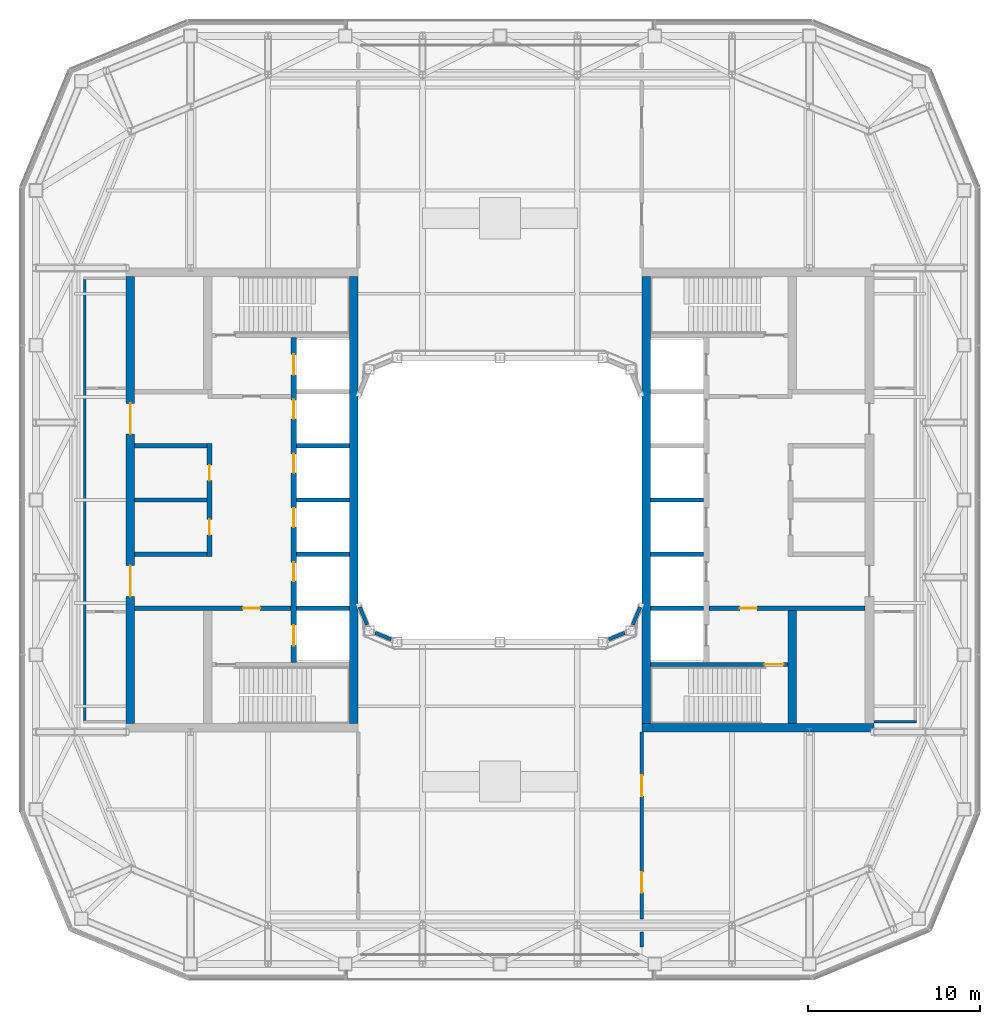
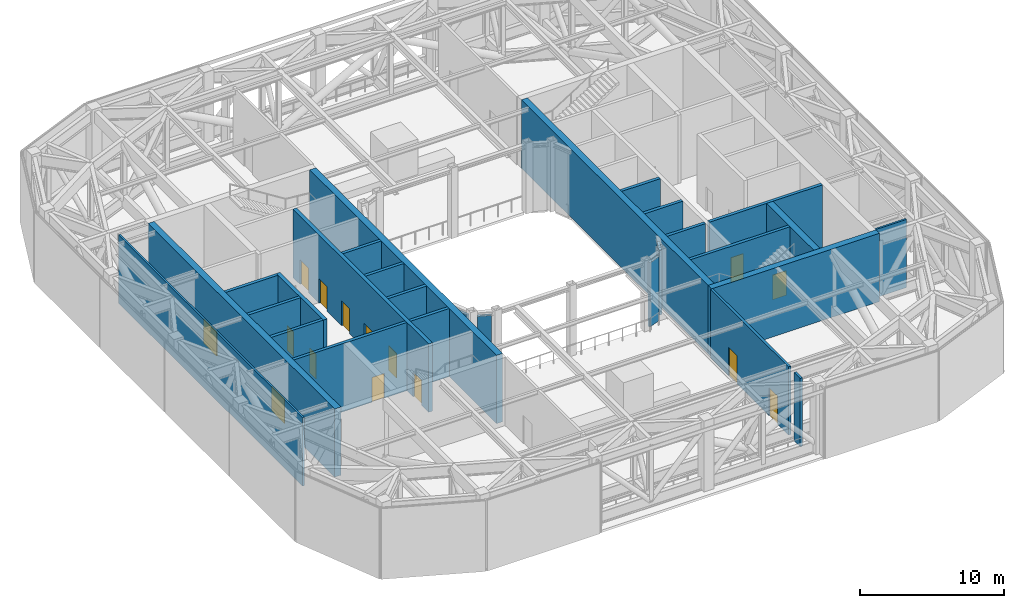
# One storey, part 11 of 21: 28 walls, 15 doors, 15 openings.
"""IFC4 building model written with IfcOpenShell, lengths in metres."""

from ifc_helpers import new_model, si_unit, direction, frame, frame_2d, origin, place, context, subcontext, project, spatial, rectangle, extrude, material, layer, layer_set, type_object, element, fill, save


model = new_model("IFC4")

# Units and contexts
model_context = context("Model", 3, precision=1e-05, world=origin(), true_north=direction((0.0, 1.0)))
body_context = subcontext(model_context, "Body", "Model", "MODEL_VIEW")
ifc_project = project(units=[si_unit("LENGTHUNIT", "METRE"), si_unit("AREAUNIT", "SQUARE_METRE"), si_unit("VOLUMEUNIT", "CUBIC_METRE"), si_unit("PLANEANGLEUNIT", "RADIAN"), si_unit("MASSUNIT", "GRAM", prefix="KILO")], contexts=[model_context])

# Site, building, storey
site_placement = place(None, origin())
site = spatial("IfcSite", under=ifc_project, at=site_placement, CompositionType="ELEMENT")
building_placement = place(site_placement, origin())
building = spatial("IfcBuilding", under=site, at=building_placement, Name="Siwar Civic Tower", CompositionType="ELEMENT")
storey_placement = place(building_placement, frame((0.0, 0.0, 278.199951171875)))
storey = spatial("IfcBuildingStorey", under=building, at=storey_placement, Name="L60", CompositionType="ELEMENT", Elevation=278.199951171875)

# Walls
ifc_material_1 = material(Name="Gypsum board on steel studs", Category="steel")
ifc_layer_1 = layer(ifc_material_1, 0.14990234375)
ifc_layer_set_1 = layer_set([ifc_layer_1], Name="Gypsum board on steel studs")
wall_type_1 = type_object("IfcWallType", Name="COMPARTMENT PARTITION 150 EI 60", PredefinedType="PARTITIONING", material=ifc_layer_set_1)
wall_1_placement = place(storey_placement, frame((21.75, -12.89990234375, 0.0), z_axis=(0.0, 0.0, 1.0), x_axis=(1.0, 0.0, 0.0)))
element("IfcWall", 1, at=wall_1_placement, inside=storey, type_object=wall_type_1, Name="L60/wall/P02", PredefinedType="PARTITIONING", context=body_context, shape_type="SweptSolid", body=[
    extrude(rectangle(XDim=2.47509765625, YDim=0.14990234375, at=frame_2d((1.237548828125, 0.0))), origin(), (0.0, 0.0, 1.0), 5.800048828125),
])
wall_2_placement = place(storey_placement, frame((-24.14990234375, -12.824951171875, 0.0), z_axis=(0.0, 0.0, 1.0), x_axis=(0.0, 1.0, 0.0)))
element("IfcWall", 2, at=wall_2_placement, inside=storey, type_object=wall_type_1, Name="L60/wall/P09", PredefinedType="PARTITIONING", context=body_context, shape_type="SweptSolid", body=[
    extrude(rectangle(XDim=25.64990234375, YDim=0.14990234375, at=frame_2d((12.824951171875, 0.0))), origin(), (0.0, 0.0, 1.0), 5.800048828125),
])

# Wall, opening, door
ifc_material_2 = material(Name="Concrete C60/75", Category="concrete")
ifc_layer_2 = layer(ifc_material_2, 0.25)
ifc_layer_set_2 = layer_set([ifc_layer_2], Name="Concrete C60/75")
wall_type_2 = type_object("IfcWallType", Name="CORE-WALL-RC250", PredefinedType="SHEAR", material=ifc_layer_set_2)
wall_3_placement = place(storey_placement, frame((-12.14990234375, -6.300048828125, 0.0), z_axis=(0.0, 0.0, 1.0), x_axis=(-1.0, 0.0, 0.0)))
wall_3 = element("IfcWall", 3, at=wall_3_placement, inside=storey, type_object=wall_type_2, Name="Core wall W", PredefinedType="SHEAR", context=body_context, shape_type="SweptSolid", body=[
    extrude(rectangle(XDim=9.10009765625, YDim=0.25, at=frame_2d((4.550048828125, 0.0))), origin(), (0.0, 0.0, 1.0), 5.800048828125),
])
opening_1_placement = place(wall_3_placement, frame((1.800048828125, 0.0, 0.0)))
opening_1 = element("IfcOpeningElement", 4, at=opening_1_placement, cuts=wall_3, Name="Opening L60-CW02", PredefinedType="OPENING", context=body_context, shape_type="SweptSolid", body=[
    extrude(rectangle(XDim=1.0, YDim=2.10009765625, at=frame_2d((0.5, 1.050048828125))), frame((0.0, 0.135009765625, 0.0), z_axis=(0.0, -1.0, 0.0), x_axis=(1.0, 0.0, 0.0)), (0.0, 0.0, 1.0), 0.27001953125),
])
ifc_material_3 = material(Name="Steel door leaf", Category="steel")
door_type_1 = type_object("IfcDoorType", Name="CORE-DOOR-FD30S", OperationType="SINGLE_SWING_LEFT", PredefinedType="DOOR", material=ifc_material_3)
door_1_placement = place(opening_1_placement, origin())
door_1 = element("IfcDoor", 5, at=door_1_placement, inside=storey, type_object=door_type_1, Name="Service lobby door L60-CW02", OperationType="SINGLE_SWING_RIGHT", OverallHeight=2.10009765625, OverallWidth=1.0, PredefinedType="DOOR", context=body_context, shape_type="SweptSolid", body=[
    extrude(rectangle(XDim=1.0, YDim=2.10009765625, at=frame_2d((0.5, 1.050048828125))), frame((0.0, 0.02490234375, 0.0), z_axis=(0.0, -1.0, 0.0), x_axis=(1.0, 0.0, 0.0)), (0.0, 0.0, 1.0), 0.050048828125),
])
fill(opening_1, door_1)

# Walls
for number, where, z_axis, x_axis, name in (
    (6, (-17.050048828125, 0.0, 0.0), (0.0, 0.0, 1.0), (-1.0, 0.0, 0.0), "Core wall W"),
    (7, (-17.050048828125, 3.14990234375, 0.0), (0.0, 0.0, 1.0), (-1.0, 0.0, 0.0), "Core wall W"),
    (8, (-17.050048828125, -3.14990234375, 0.0), (0.0, 0.0, 1.0), (-1.0, 0.0, 0.0), "Core wall W"),
):
    element("IfcWall", number, at=place(storey_placement, frame(where, z_axis=z_axis, x_axis=x_axis)), inside=storey, type_object=wall_type_2, Name=name, PredefinedType="SHEAR", context=body_context, shape_type="SweptSolid", body=[
        extrude(rectangle(XDim=4.199951171875, YDim=0.25, at=frame_2d((2.10009765625, 0.0))), origin(), (0.0, 0.0, 1.0), 5.800048828125),
    ])
for number, where, z_axis, x_axis, name in (
    (9, (-8.75, 0.0, 0.0), (0.0, 0.0, 1.0), (-1.0, 0.0, 0.0), "Core wall W"),
    (10, (-8.75, 3.14990234375, 0.0), (0.0, 0.0, 1.0), (-1.0, 0.0, 0.0), "Core wall W"),
    (11, (-8.75, -3.14990234375, 0.0), (0.0, 0.0, 1.0), (-1.0, 0.0, 0.0), "Core wall W"),
    (12, (-8.75, -6.300048828125, 0.0), (0.0, 0.0, 1.0), (-1.0, 0.0, 0.0), "Core wall W"),
):
    element("IfcWall", number, at=place(storey_placement, frame(where, z_axis=z_axis, x_axis=x_axis)), inside=storey, type_object=wall_type_2, Name=name, PredefinedType="SHEAR", context=body_context, shape_type="SweptSolid", body=[
        extrude(rectangle(XDim=3.10009765625, YDim=0.25, at=frame_2d((1.550048828125, 0.0))), origin(), (0.0, 0.0, 1.0), 5.800048828125),
    ])

# Wall, opening, door
wall_4_placement = place(storey_placement, frame((12.14990234375, -6.300048828125, 0.0), z_axis=(0.0, 0.0, 1.0), x_axis=(1.0, 0.0, 0.0)))
wall_4 = element("IfcWall", 13, at=wall_4_placement, inside=storey, type_object=wall_type_2, Name="Core wall E", PredefinedType="SHEAR", context=body_context, shape_type="SweptSolid", body=[
    extrude(rectangle(XDim=9.10009765625, YDim=0.25, at=frame_2d((4.550048828125, 0.0))), origin(), (0.0, 0.0, 1.0), 5.800048828125),
])
opening_2_placement = place(wall_4_placement, frame((1.800048828125, 0.0, 0.0)))
opening_2 = element("IfcOpeningElement", 14, at=opening_2_placement, cuts=wall_4, Name="Opening L60-CE02", PredefinedType="OPENING", context=body_context, shape_type="SweptSolid", body=[
    extrude(rectangle(XDim=1.0, YDim=2.10009765625, at=frame_2d((0.5, 1.050048828125))), frame((0.0, 0.135009765625, 0.0), z_axis=(0.0, -1.0, 0.0), x_axis=(1.0, 0.0, 0.0)), (0.0, 0.0, 1.0), 0.27001953125),
])
door_2_placement = place(opening_2_placement, origin())
door_2 = element("IfcDoor", 15, at=door_2_placement, inside=storey, type_object=door_type_1, Name="Service lobby door L60-CE02", OperationType="SINGLE_SWING_LEFT", OverallHeight=2.10009765625, OverallWidth=1.0, PredefinedType="DOOR", context=body_context, shape_type="SweptSolid", body=[
    extrude(rectangle(XDim=1.0, YDim=2.10009765625, at=frame_2d((0.5, 1.050048828125))), frame((0.0, 0.02490234375, 0.0), z_axis=(0.0, -1.0, 0.0), x_axis=(1.0, 0.0, 0.0)), (0.0, 0.0, 1.0), 0.050048828125),
])
fill(opening_2, door_2)

# Walls
for number, where, z_axis, x_axis, name in (
    (16, (8.75, 0.0, 0.0), (0.0, 0.0, 1.0), (1.0, 0.0, 0.0), "Core wall E"),
    (17, (8.75, -3.14990234375, 0.0), (0.0, 0.0, 1.0), (1.0, 0.0, 0.0), "Core wall E"),
    (18, (8.75, -6.300048828125, 0.0), (0.0, 0.0, 1.0), (1.0, 0.0, 0.0), "Core wall E"),
):
    element("IfcWall", number, at=place(storey_placement, frame(where, z_axis=z_axis, x_axis=x_axis)), inside=storey, type_object=wall_type_2, Name=name, PredefinedType="SHEAR", context=body_context, shape_type="SweptSolid", body=[
        extrude(rectangle(XDim=3.10009765625, YDim=0.25, at=frame_2d((1.550048828125, 0.0))), origin(), (0.0, 0.0, 1.0), 5.800048828125),
    ])

# Wall, opening, door
wall_5_placement = place(storey_placement, frame((8.75, -9.574951171875, 0.0), z_axis=(0.0, 0.0, 1.0), x_axis=(1.0, 0.0, 0.0)))
wall_5 = element("IfcWall", 19, at=wall_5_placement, inside=storey, type_object=wall_type_2, Name="Core wall E", PredefinedType="SHEAR", context=body_context, shape_type="SweptSolid", body=[
    extrude(rectangle(XDim=8.0, YDim=0.25, at=frame_2d((4.0, 0.0))), origin(), (0.0, 0.0, 1.0), 5.800048828125),
])
opening_3_placement = place(wall_5_placement, frame((6.64990234375, 0.0, 0.0)))
opening_3 = element("IfcOpeningElement", 20, at=opening_3_placement, cuts=wall_5, Name="Opening L60-CE04", PredefinedType="OPENING", context=body_context, shape_type="SweptSolid", body=[
    extrude(rectangle(XDim=1.10009765625, YDim=2.10009765625, at=frame_2d((0.550048828125, 1.050048828125))), frame((0.0, 0.135009765625, 0.0), z_axis=(0.0, -1.0, 0.0), x_axis=(1.0, 0.0, 0.0)), (0.0, 0.0, 1.0), 0.27001953125),
])
ifc_material_4 = material(Name="Steel door leaf", Category="steel")
door_type_2 = type_object("IfcDoorType", Name="CORE-DOOR-FD60S", OperationType="SINGLE_SWING_LEFT", PredefinedType="DOOR", material=ifc_material_4)
door_3_placement = place(opening_3_placement, origin())
door_3 = element("IfcDoor", 21, at=door_3_placement, inside=storey, type_object=door_type_2, Name="Stair door L60-CE04", OperationType="SINGLE_SWING_RIGHT", OverallHeight=2.10009765625, OverallWidth=1.10009765625, PredefinedType="DOOR", context=body_context, shape_type="SweptSolid", body=[
    extrude(rectangle(XDim=1.10009765625, YDim=2.10009765625, at=frame_2d((0.550048828125, 1.050048828125))), frame((0.0, 0.02490234375, 0.0), z_axis=(0.0, -1.0, 0.0), x_axis=(1.0, 0.0, 0.0)), (0.0, 0.0, 1.0), 0.050048828125),
])
fill(opening_3, door_3)

# Wall, openings, doors
ifc_material_5 = material(Name="Concrete C60/75", Category="concrete")
ifc_layer_3 = layer(ifc_material_5, 0.300048828125)
ifc_layer_set_3 = layer_set([ifc_layer_3], Name="Concrete C60/75")
wall_type_3 = type_object("IfcWallType", Name="CORE-WALL-RC300", PredefinedType="SHEAR", material=ifc_layer_set_3)
wall_6_placement = place(storey_placement, frame((-12.0, -9.449951171875, 0.0), z_axis=(0.0, 0.0, 1.0), x_axis=(0.0, 1.0, 0.0)))
wall_6 = element("IfcWall", 22, at=wall_6_placement, inside=storey, type_object=wall_type_3, Name="Core wall W", PredefinedType="SHEAR", context=body_context, shape_type="SweptSolid", body=[
    extrude(rectangle(XDim=18.89990234375, YDim=0.300048828125, at=frame_2d((9.449951171875, 0.0))), origin(), (0.0, 0.0, 1.0), 5.800048828125),
])
opening_4_placement = place(wall_6_placement, frame((4.72509765625, 0.0, 0.0)))
opening_4 = element("IfcOpeningElement", 23, at=opening_4_placement, cuts=wall_6, Name="Opening L60-CW07", PredefinedType="OPENING", context=body_context, shape_type="SweptSolid", body=[
    extrude(rectangle(XDim=1.10009765625, YDim=2.10009765625, at=frame_2d((0.550048828125, 1.050048828125))), frame((0.0, 0.16015625, 0.0), z_axis=(0.0, -1.0, 0.0), x_axis=(1.0, 0.0, 0.0)), (0.0, 0.0, 1.0), 0.320068359375),
])
opening_5_placement = place(wall_6_placement, frame((7.875, 0.0, 0.0)))
opening_5 = element("IfcOpeningElement", 24, at=opening_5_placement, cuts=wall_6, Name="Opening L60-CW08", PredefinedType="OPENING", context=body_context, shape_type="SweptSolid", body=[
    extrude(rectangle(XDim=1.10009765625, YDim=2.10009765625, at=frame_2d((0.550048828125, 1.050048828125))), frame((0.0, 0.16015625, 0.0), z_axis=(0.0, -1.0, 0.0), x_axis=(1.0, 0.0, 0.0)), (0.0, 0.0, 1.0), 0.320068359375),
])
opening_6_placement = place(wall_6_placement, frame((11.02490234375, 0.0, 0.0)))
opening_6 = element("IfcOpeningElement", 25, at=opening_6_placement, cuts=wall_6, Name="Opening L60-CW09", PredefinedType="OPENING", context=body_context, shape_type="SweptSolid", body=[
    extrude(rectangle(XDim=1.10009765625, YDim=2.10009765625, at=frame_2d((0.550048828125, 1.050048828125))), frame((0.0, 0.16015625, 0.0), z_axis=(0.0, -1.0, 0.0), x_axis=(1.0, 0.0, 0.0)), (0.0, 0.0, 1.0), 0.320068359375),
])
opening_7_placement = place(wall_6_placement, frame((14.175048828125, 0.0, 0.0)))
opening_7 = element("IfcOpeningElement", 26, at=opening_7_placement, cuts=wall_6, Name="Opening L60-CW10", PredefinedType="OPENING", context=body_context, shape_type="SweptSolid", body=[
    extrude(rectangle(XDim=1.10009765625, YDim=2.10009765625, at=frame_2d((0.550048828125, 1.050048828125))), frame((0.0, 0.16015625, 0.0), z_axis=(0.0, -1.0, 0.0), x_axis=(1.0, 0.0, 0.0)), (0.0, 0.0, 1.0), 0.320068359375),
])
opening_8_placement = place(wall_6_placement, frame((16.72509765625, 0.0, 0.0)))
opening_8 = element("IfcOpeningElement", 27, at=opening_8_placement, cuts=wall_6, Name="Opening L60-CW11", PredefinedType="OPENING", context=body_context, shape_type="SweptSolid", body=[
    extrude(rectangle(XDim=1.199951171875, YDim=2.10009765625, at=frame_2d((0.60009765625, 1.050048828125))), frame((0.0, 0.16015625, 0.0), z_axis=(0.0, -1.0, 0.0), x_axis=(1.0, 0.0, 0.0)), (0.0, 0.0, 1.0), 0.320068359375),
])
opening_9_placement = place(wall_6_placement, frame((0.97509765625, 0.0, 0.0)))
opening_9 = element("IfcOpeningElement", 28, at=opening_9_placement, cuts=wall_6, Name="Opening L60-CW12", PredefinedType="OPENING", context=body_context, shape_type="SweptSolid", body=[
    extrude(rectangle(XDim=1.199951171875, YDim=2.10009765625, at=frame_2d((0.60009765625, 1.050048828125))), frame((0.0, 0.16015625, 0.0), z_axis=(0.0, -1.0, 0.0), x_axis=(1.0, 0.0, 0.0)), (0.0, 0.0, 1.0), 0.320068359375),
])
ifc_material_6 = material(Name="Steel door leaf", Category="steel")
door_type_3 = type_object("IfcDoorType", Name="CORE-DOOR-LD", OperationType="DOUBLE_DOOR_SLIDING", PredefinedType="DOOR", material=ifc_material_6)
door_4_placement = place(opening_4_placement, origin())
door_4 = element("IfcDoor", 29, at=door_4_placement, inside=storey, type_object=door_type_3, Name="Landing door HR1 L60-CW07", OperationType="DOUBLE_DOOR_SLIDING", OverallHeight=2.10009765625, OverallWidth=1.10009765625, PredefinedType="DOOR", context=body_context, shape_type="SweptSolid", body=[
    extrude(rectangle(XDim=1.10009765625, YDim=2.10009765625, at=frame_2d((0.550048828125, 1.050048828125))), frame((0.0, 0.02490234375, 0.0), z_axis=(0.0, -1.0, 0.0), x_axis=(1.0, 0.0, 0.0)), (0.0, 0.0, 1.0), 0.050048828125),
])
fill(opening_4, door_4)
door_5_placement = place(opening_5_placement, origin())
door_5 = element("IfcDoor", 30, at=door_5_placement, inside=storey, type_object=door_type_3, Name="Landing door HR2 L60-CW08", OperationType="DOUBLE_DOOR_SLIDING", OverallHeight=2.10009765625, OverallWidth=1.10009765625, PredefinedType="DOOR", context=body_context, shape_type="SweptSolid", body=[
    extrude(rectangle(XDim=1.10009765625, YDim=2.10009765625, at=frame_2d((0.550048828125, 1.050048828125))), frame((0.0, 0.02490234375, 0.0), z_axis=(0.0, -1.0, 0.0), x_axis=(1.0, 0.0, 0.0)), (0.0, 0.0, 1.0), 0.050048828125),
])
fill(opening_5, door_5)
door_6_placement = place(opening_6_placement, origin())
door_6 = element("IfcDoor", 31, at=door_6_placement, inside=storey, type_object=door_type_3, Name="Landing door HR3 L60-CW09", OperationType="DOUBLE_DOOR_SLIDING", OverallHeight=2.10009765625, OverallWidth=1.10009765625, PredefinedType="DOOR", context=body_context, shape_type="SweptSolid", body=[
    extrude(rectangle(XDim=1.10009765625, YDim=2.10009765625, at=frame_2d((0.550048828125, 1.050048828125))), frame((0.0, 0.02490234375, 0.0), z_axis=(0.0, -1.0, 0.0), x_axis=(1.0, 0.0, 0.0)), (0.0, 0.0, 1.0), 0.050048828125),
])
fill(opening_6, door_6)
door_7_placement = place(opening_7_placement, origin())
door_7 = element("IfcDoor", 32, at=door_7_placement, inside=storey, type_object=door_type_3, Name="Landing door HR4 L60-CW10", OperationType="DOUBLE_DOOR_SLIDING", OverallHeight=2.10009765625, OverallWidth=1.10009765625, PredefinedType="DOOR", context=body_context, shape_type="SweptSolid", body=[
    extrude(rectangle(XDim=1.10009765625, YDim=2.10009765625, at=frame_2d((0.550048828125, 1.050048828125))), frame((0.0, 0.02490234375, 0.0), z_axis=(0.0, -1.0, 0.0), x_axis=(1.0, 0.0, 0.0)), (0.0, 0.0, 1.0), 0.050048828125),
])
fill(opening_7, door_7)
ifc_material_7 = material(Name="Steel door leaf", Category="steel")
door_type_4 = type_object("IfcDoorType", Name="CORE-DOOR-LDW", OperationType="DOUBLE_DOOR_SLIDING", PredefinedType="DOOR", material=ifc_material_7)
door_8_placement = place(opening_8_placement, origin())
door_8 = element("IfcDoor", 33, at=door_8_placement, inside=storey, type_object=door_type_4, Name="Landing door FF1 L60-CW11", OperationType="DOUBLE_DOOR_SLIDING", OverallHeight=2.10009765625, OverallWidth=1.199951171875, PredefinedType="DOOR", context=body_context, shape_type="SweptSolid", body=[
    extrude(rectangle(XDim=1.199951171875, YDim=2.10009765625, at=frame_2d((0.60009765625, 1.050048828125))), frame((0.0, 0.02490234375, 0.0), z_axis=(0.0, -1.0, 0.0), x_axis=(1.0, 0.0, 0.0)), (0.0, 0.0, 1.0), 0.050048828125),
])
fill(opening_8, door_8)
door_9_placement = place(opening_9_placement, origin())
door_9 = element("IfcDoor", 34, at=door_9_placement, inside=storey, type_object=door_type_4, Name="Landing door SV1 L60-CW12", OperationType="DOUBLE_DOOR_SLIDING", OverallHeight=2.10009765625, OverallWidth=1.199951171875, PredefinedType="DOOR", context=body_context, shape_type="SweptSolid", body=[
    extrude(rectangle(XDim=1.199951171875, YDim=2.10009765625, at=frame_2d((0.60009765625, 1.050048828125))), frame((0.0, 0.02490234375, 0.0), z_axis=(0.0, -1.0, 0.0), x_axis=(1.0, 0.0, 0.0)), (0.0, 0.0, 1.0), 0.050048828125),
])
fill(opening_9, door_9)

wall_7_placement = place(storey_placement, frame((-16.89990234375, -3.27490234375, 0.0), z_axis=(0.0, 0.0, 1.0), x_axis=(0.0, 1.0, 0.0)))
wall_7 = element("IfcWall", 35, at=wall_7_placement, inside=storey, type_object=wall_type_3, Name="Core wall W", PredefinedType="SHEAR", context=body_context, shape_type="SweptSolid", body=[
    extrude(rectangle(XDim=6.5498046875, YDim=0.300048828125, at=frame_2d((3.27490234375, 0.0))), origin(), (0.0, 0.0, 1.0), 5.800048828125),
])
opening_10_placement = place(wall_7_placement, frame((1.25, 0.0, 0.0)))
opening_10 = element("IfcOpeningElement", 36, at=opening_10_placement, cuts=wall_7, Name="Opening L60-CW13", PredefinedType="OPENING", context=body_context, shape_type="SweptSolid", body=[
    extrude(rectangle(XDim=0.89990234375, YDim=2.10009765625, at=frame_2d((0.449951171875, 1.050048828125))), frame((0.0, 0.16015625, 0.0), z_axis=(0.0, -1.0, 0.0), x_axis=(1.0, 0.0, 0.0)), (0.0, 0.0, 1.0), 0.320068359375),
])
opening_11_placement = place(wall_7_placement, frame((4.39990234375, 0.0, 0.0)))
opening_11 = element("IfcOpeningElement", 37, at=opening_11_placement, cuts=wall_7, Name="Opening L60-CW14", PredefinedType="OPENING", context=body_context, shape_type="SweptSolid", body=[
    extrude(rectangle(XDim=0.89990234375, YDim=2.10009765625, at=frame_2d((0.449951171875, 1.050048828125))), frame((0.0, 0.16015625, 0.0), z_axis=(0.0, -1.0, 0.0), x_axis=(1.0, 0.0, 0.0)), (0.0, 0.0, 1.0), 0.320068359375),
])
ifc_material_8 = material(Name="Steel door leaf", Category="steel")
door_type_5 = type_object("IfcDoorType", Name="CORE-DOOR-ROOM", OperationType="SINGLE_SWING_LEFT", PredefinedType="DOOR", material=ifc_material_8)
door_10_placement = place(opening_10_placement, origin())
door_10 = element("IfcDoor", 38, at=door_10_placement, inside=storey, type_object=door_type_5, Name="Core room door L60-CW13", OperationType="SINGLE_SWING_LEFT", OverallHeight=2.10009765625, OverallWidth=0.89990234375, PredefinedType="DOOR", context=body_context, shape_type="SweptSolid", body=[
    extrude(rectangle(XDim=0.89990234375, YDim=2.10009765625, at=frame_2d((0.449951171875, 1.050048828125))), frame((0.0, 0.02490234375, 0.0), z_axis=(0.0, -1.0, 0.0), x_axis=(1.0, 0.0, 0.0)), (0.0, 0.0, 1.0), 0.050048828125),
])
fill(opening_10, door_10)
door_11_placement = place(opening_11_placement, origin())
door_11 = element("IfcDoor", 39, at=door_11_placement, inside=storey, type_object=door_type_5, Name="Core room door L60-CW14", OperationType="SINGLE_SWING_RIGHT", OverallHeight=2.10009765625, OverallWidth=0.89990234375, PredefinedType="DOOR", context=body_context, shape_type="SweptSolid", body=[
    extrude(rectangle(XDim=0.89990234375, YDim=2.10009765625, at=frame_2d((0.449951171875, 1.050048828125))), frame((0.0, 0.02490234375, 0.0), z_axis=(0.0, -1.0, 0.0), x_axis=(1.0, 0.0, 0.0)), (0.0, 0.0, 1.0), 0.050048828125),
])
fill(opening_11, door_11)

ifc_material_9 = material(Name="Concrete C60/75", Category="concrete")
ifc_layer_4 = layer(ifc_material_9, 0.5)
ifc_layer_set_4 = layer_set([ifc_layer_4], Name="Concrete C60/75")
wall_type_4 = type_object("IfcWallType", Name="CORE-WALL-RC500", PredefinedType="SHEAR", material=ifc_layer_set_4)
wall_8_placement = place(storey_placement, frame((-21.5, -13.0, 0.0), z_axis=(0.0, 0.0, 1.0), x_axis=(0.0, 1.0, 0.0)))
wall_8 = element("IfcWall", 40, at=wall_8_placement, inside=storey, type_object=wall_type_4, Name="Core wall W", PredefinedType="SHEAR", context=body_context, shape_type="SweptSolid", body=[
    extrude(rectangle(XDim=26.0, YDim=0.5, at=frame_2d((13.0, 0.0))), origin(), (0.0, 0.0, 1.0), 5.800048828125),
])
opening_12_placement = place(wall_8_placement, frame((16.824951171875, 0.0, 0.0)))
opening_12 = element("IfcOpeningElement", 41, at=opening_12_placement, cuts=wall_8, Name="Opening L60-CW05", PredefinedType="OPENING", context=body_context, shape_type="SweptSolid", body=[
    extrude(rectangle(XDim=1.800048828125, YDim=2.10009765625, at=frame_2d((0.89990234375, 1.050048828125))), frame((0.0, 0.260009765625, 0.0), z_axis=(0.0, -1.0, 0.0), x_axis=(1.0, 0.0, 0.0)), (0.0, 0.0, 1.0), 0.52001953125),
])
opening_13_placement = place(wall_8_placement, frame((7.375, 0.0, 0.0)))
opening_13 = element("IfcOpeningElement", 42, at=opening_13_placement, cuts=wall_8, Name="Opening L60-CW06", PredefinedType="OPENING", context=body_context, shape_type="SweptSolid", body=[
    extrude(rectangle(XDim=1.800048828125, YDim=2.10009765625, at=frame_2d((0.89990234375, 1.050048828125))), frame((0.0, 0.260009765625, 0.0), z_axis=(0.0, -1.0, 0.0), x_axis=(1.0, 0.0, 0.0)), (0.0, 0.0, 1.0), 0.52001953125),
])
ifc_material_10 = material(Name="Steel door leaf", Category="steel")
door_type_6 = type_object("IfcDoorType", Name="CORE-DOOR-PORT", OperationType="DOUBLE_DOOR_DOUBLE_SWING", PredefinedType="DOOR", material=ifc_material_10)
door_12_placement = place(opening_12_placement, origin())
door_12 = element("IfcDoor", 43, at=door_12_placement, inside=storey, type_object=door_type_6, Name="Core entrance door L60-CW05", OperationType="DOUBLE_DOOR_DOUBLE_SWING", OverallHeight=2.10009765625, OverallWidth=1.800048828125, PredefinedType="DOOR", context=body_context, shape_type="SweptSolid", body=[
    extrude(rectangle(XDim=1.800048828125, YDim=2.10009765625, at=frame_2d((0.89990234375, 1.050048828125))), frame((0.0, 0.02490234375, 0.0), z_axis=(0.0, -1.0, 0.0), x_axis=(1.0, 0.0, 0.0)), (0.0, 0.0, 1.0), 0.050048828125),
])
fill(opening_12, door_12)
door_13_placement = place(opening_13_placement, origin())
door_13 = element("IfcDoor", 44, at=door_13_placement, inside=storey, type_object=door_type_6, Name="Core entrance door L60-CW06", OperationType="DOUBLE_DOOR_DOUBLE_SWING", OverallHeight=2.10009765625, OverallWidth=1.800048828125, PredefinedType="DOOR", context=body_context, shape_type="SweptSolid", body=[
    extrude(rectangle(XDim=1.800048828125, YDim=2.10009765625, at=frame_2d((0.89990234375, 1.050048828125))), frame((0.0, 0.02490234375, 0.0), z_axis=(0.0, -1.0, 0.0), x_axis=(1.0, 0.0, 0.0)), (0.0, 0.0, 1.0), 0.050048828125),
])
fill(opening_13, door_13)

# Walls
wall_9_placement = place(storey_placement, frame((17.0, -13.0, 0.0), z_axis=(0.0, 0.0, 1.0), x_axis=(0.0, 1.0, 0.0)))
element("IfcWall", 45, at=wall_9_placement, inside=storey, type_object=wall_type_4, Name="Core wall E", PredefinedType="SHEAR", context=body_context, shape_type="SweptSolid", body=[
    extrude(rectangle(XDim=6.574951171875, YDim=0.5, at=frame_2d((3.28759765625, 0.0))), origin(), (0.0, 0.0, 1.0), 5.800048828125),
])
wall_10_placement = place(storey_placement, frame((8.25, -13.25, 0.0), z_axis=(0.0, 0.0, 1.0), x_axis=(1.0, 0.0, 0.0)))
element("IfcWall", 46, at=wall_10_placement, inside=storey, type_object=wall_type_4, Name="Core wall E", PredefinedType="SHEAR", context=body_context, shape_type="SweptSolid", body=[
    extrude(rectangle(XDim=13.5, YDim=0.5, at=frame_2d((6.75, 0.0))), origin(), (0.0, 0.0, 1.0), 5.800048828125),
])
ifc_material_11 = material(Name="Concrete C60/75", Category="concrete")
ifc_layer_5 = layer(ifc_material_11, 0.5)
ifc_layer_set_5 = layer_set([ifc_layer_5], Name="Concrete C60/75")
wall_type_5 = type_object("IfcWallType", Name="CORE-WALL-RC500-EXT", PredefinedType="SHEAR", material=ifc_layer_set_5)
for number, where, z_axis, x_axis, name in (
    (47, (-8.5, -13.0, 0.0), (0.0, 0.0, 1.0), (0.0, 1.0, 0.0), "Core wall W"),
    (48, (8.5, -13.0, 0.0), (0.0, 0.0, 1.0), (0.0, 1.0, 0.0), "Core wall E"),
):
    element("IfcWall", number, at=place(storey_placement, frame(where, z_axis=z_axis, x_axis=x_axis)), inside=storey, type_object=wall_type_5, Name=name, PredefinedType="SHEAR", context=body_context, shape_type="SweptSolid", body=[
        extrude(rectangle(XDim=26.0, YDim=0.5, at=frame_2d((13.0, 0.0))), origin(), (0.0, 0.0, 1.0), 5.800048828125),
    ])

# Wall, openings, doors
ifc_material_12 = material(Name="Aluminium clad insulated panel", Category="aluminium")
ifc_layer_6 = layer(ifc_material_12, 0.199951171875)
ifc_layer_set_6 = layer_set([ifc_layer_6], Name="Aluminium clad insulated panel")
wall_type_6 = type_object("IfcWallType", Name="ENV-PORTAL WALL", PredefinedType="STANDARD", material=ifc_layer_set_6)
wall_11_placement = place(storey_placement, frame((8.25, -13.5, 0.0), z_axis=(0.0, 0.0, 1.0), x_axis=(0.0, -1.0, 0.0)))
wall_11 = element("IfcWall", 49, at=wall_11_placement, inside=storey, type_object=wall_type_6, Name="Sky portal closing wall SE", PredefinedType="STANDARD", context=body_context, shape_type="SweptSolid", body=[
    extrude(rectangle(XDim=10.864990234375, YDim=0.199951171875, at=frame_2d((5.4326171875, 0.0))), origin(), (0.0, 0.0, 1.0), 5.800048828125),
])
opening_14_placement = place(wall_11_placement, frame((2.52490234375, 0.0, 0.0)))
opening_14 = element("IfcOpeningElement", 50, at=opening_14_placement, cuts=wall_11, Name="Opening D-PT", PredefinedType="OPENING", context=body_context, shape_type="SweptSolid", body=[
    extrude(rectangle(XDim=1.199951171875, YDim=2.39990234375, at=frame_2d((0.60009765625, 1.199951171875))), frame((0.0, 0.10986328125, 0.0), z_axis=(0.0, -1.0, 0.0), x_axis=(1.0, 0.0, 0.0)), (0.0, 0.0, 1.0), 0.219970703125),
])
opening_15_placement = place(wall_11_placement, frame((8.14990234375, 0.0, 0.0)))
opening_15 = element("IfcOpeningElement", 51, at=opening_15_placement, cuts=wall_11, Name="Opening D-PT", PredefinedType="OPENING", context=body_context, shape_type="SweptSolid", body=[
    extrude(rectangle(XDim=1.199951171875, YDim=2.39990234375, at=frame_2d((0.60009765625, 1.199951171875))), frame((0.0, 0.10986328125, 0.0), z_axis=(0.0, -1.0, 0.0), x_axis=(1.0, 0.0, 0.0)), (0.0, 0.0, 1.0), 0.219970703125),
])
ifc_material_13 = material(Name="Aluminium and glass", Category="aluminium")
door_type_7 = type_object("IfcDoorType", Name="ENV-DOOR-PORTAL", OperationType="DOUBLE_DOOR_SINGLE_SWING", PredefinedType="DOOR", material=ifc_material_13)
door_14_placement = place(opening_14_placement, origin())
door_14 = element("IfcDoor", 52, at=door_14_placement, inside=storey, type_object=door_type_7, Name="Sky portal door SE 1", OperationType="DOUBLE_DOOR_SINGLE_SWING", OverallHeight=2.39990234375, OverallWidth=1.199951171875, PredefinedType="DOOR", context=body_context, shape_type="SweptSolid", body=[
    extrude(rectangle(XDim=1.199951171875, YDim=2.39990234375, at=frame_2d((0.60009765625, 1.199951171875))), frame((0.0, 0.02490234375, 0.0), z_axis=(0.0, -1.0, 0.0), x_axis=(1.0, 0.0, 0.0)), (0.0, 0.0, 1.0), 0.050048828125),
])
fill(opening_14, door_14)
door_15_placement = place(opening_15_placement, origin())
door_15 = element("IfcDoor", 53, at=door_15_placement, inside=storey, type_object=door_type_7, Name="Sky portal door SE 2", OperationType="DOUBLE_DOOR_SINGLE_SWING", OverallHeight=2.39990234375, OverallWidth=1.199951171875, PredefinedType="DOOR", context=body_context, shape_type="SweptSolid", body=[
    extrude(rectangle(XDim=1.199951171875, YDim=2.39990234375, at=frame_2d((0.60009765625, 1.199951171875))), frame((0.0, 0.02490234375, 0.0), z_axis=(0.0, -1.0, 0.0), x_axis=(1.0, 0.0, 0.0)), (0.0, 0.0, 1.0), 0.050048828125),
])
fill(opening_15, door_15)

# Walls
wall_12_placement = place(storey_placement, frame((8.25, -25.135009765625, 0.0), z_axis=(0.0, 0.0, 1.0), x_axis=(0.0, -1.0, 0.0)))
element("IfcWall", 54, at=wall_12_placement, inside=storey, type_object=wall_type_6, Name="Sky portal closing wall SE", PredefinedType="STANDARD", context=body_context, shape_type="SweptSolid", body=[
    extrude(rectangle(XDim=0.864990234375, YDim=0.199951171875, at=frame_2d((0.4326171875, 0.0))), origin(), (0.0, 0.0, 1.0), 5.800048828125),
])
ifc_material_14 = material(Name="Aluminium clad insulated panel", Category="aluminium")
ifc_layer_7 = layer(ifc_material_14, 0.199951171875)
ifc_layer_set_7 = layer_set([ifc_layer_7], Name="Aluminium clad insulated panel")
wall_type_7 = type_object("IfcWallType", Name="ENV-WALL-WELL", PredefinedType="STANDARD", material=ifc_layer_set_7)
wall_13_placement = place(storey_placement, frame((6.33203125, -8.112548828125, 0.0), z_axis=(0.0, 0.0, 1.0), x_axis=(0.923859650767, 0.382731427616, 0.0)))
element("IfcWall", 55, at=wall_13_placement, inside=storey, type_object=wall_type_7, Name="Light well corner wall SE1", PredefinedType="STANDARD", context=body_context, shape_type="SweptSolid", body=[
    extrude(rectangle(XDim=1.00341796875, YDim=0.199951171875, at=frame_2d((0.501708984375, 0.0))), origin(), (0.0, 0.0, 1.0), 5.4599609375),
])
for number, where, z_axis, x_axis, name in (
    (56, (7.728515625, -7.259033203125, 0.0), (0.0, 0.0, 1.0), (0.382635994082, 0.923899180665, 0.0), "Light well corner wall SE2"),
    (57, (-8.154296875, -6.23095703125, 0.0), (0.0, 0.0, 1.0), (0.382635994082, -0.923899180665, 0.0), "Light well corner wall SW1"),
):
    element("IfcWall", number, at=place(storey_placement, frame(where, z_axis=z_axis, x_axis=x_axis)), inside=storey, type_object=wall_type_7, Name=name, PredefinedType="STANDARD", context=body_context, shape_type="SweptSolid", body=[
        extrude(rectangle(XDim=1.11279296875, YDim=0.199951171875, at=frame_2d((0.556396484375, 0.0))), origin(), (0.0, 0.0, 1.0), 5.4599609375),
    ])
wall_14_placement = place(storey_placement, frame((-7.259033203125, -7.728515625, 0.0), z_axis=(0.0, 0.0, 1.0), x_axis=(0.923859650767, -0.382731427616, 0.0)))
element("IfcWall", 58, at=wall_14_placement, inside=storey, type_object=wall_type_7, Name="Light well corner wall SW2", PredefinedType="STANDARD", context=body_context, shape_type="SweptSolid", body=[
    extrude(rectangle(XDim=1.00341796875, YDim=0.199951171875, at=frame_2d((0.501708984375, 0.0))), origin(), (0.0, 0.0, 1.0), 5.4599609375),
])

save(model, "model.ifc")
